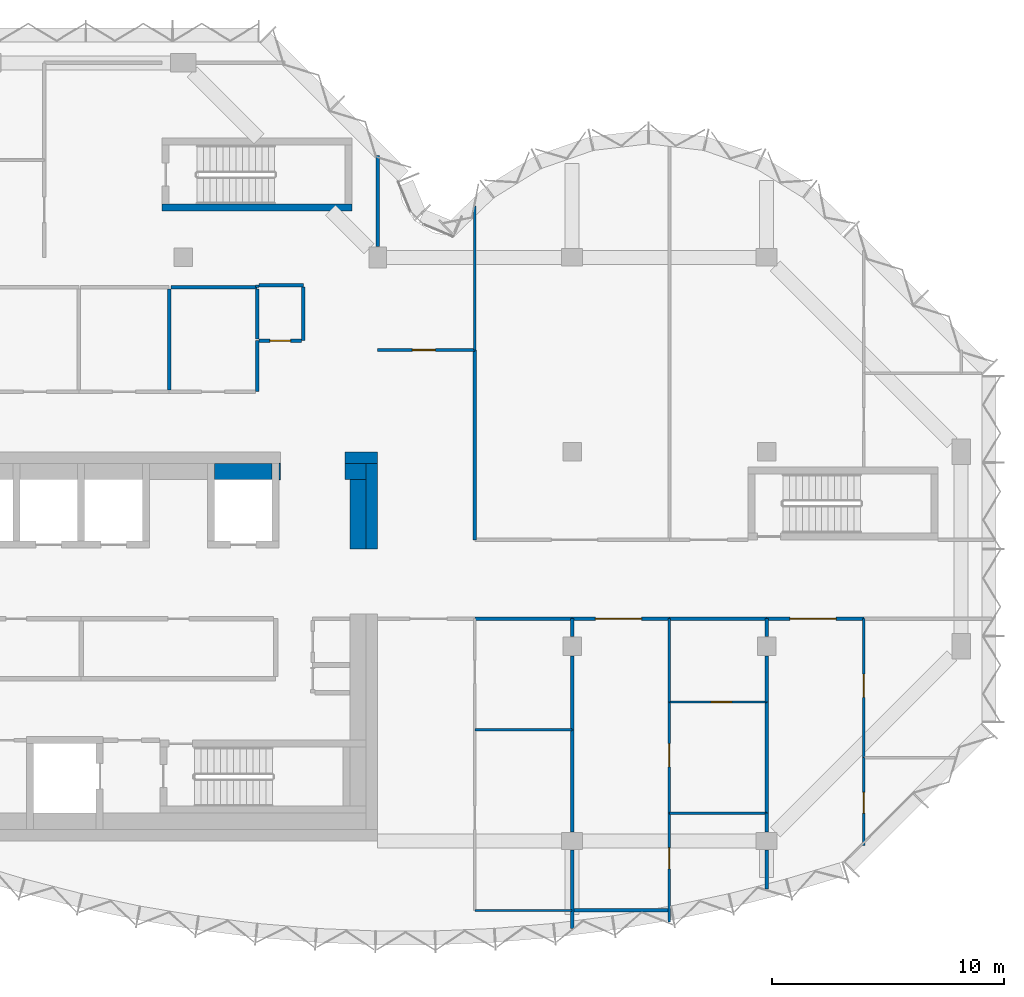
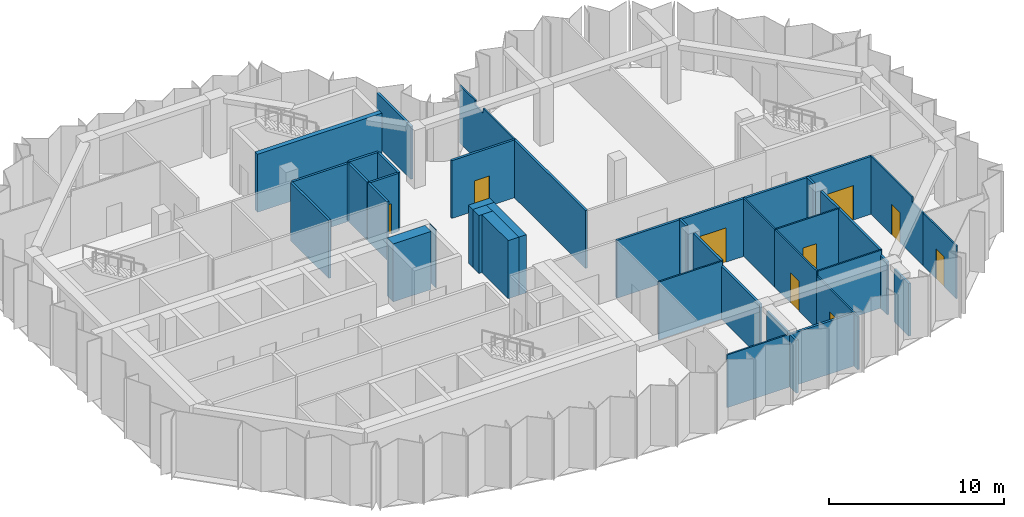
# One storey, part 6 of 10: 42 walls, 9 doors, 9 openings.
"""IFC4 building model written with IfcOpenShell, lengths in metres."""

from ifc_helpers import new_model, si_unit, direction, frame, frame_2d, origin, place, context, subcontext, project, spatial, polyline, rectangle, outline, extrude, material, layer, layer_set, type_object, element, fill, save


model = new_model("IFC4")

# Units and contexts
model_context = context("Model", 3, precision=1e-05, world=origin(), true_north=direction((0.0, 1.0)))
body_context = subcontext(model_context, "Body", "Model", "MODEL_VIEW")
ifc_project = project(units=[si_unit("LENGTHUNIT", "METRE"), si_unit("AREAUNIT", "SQUARE_METRE"), si_unit("VOLUMEUNIT", "CUBIC_METRE"), si_unit("PLANEANGLEUNIT", "RADIAN"), si_unit("MASSUNIT", "GRAM", prefix="KILO")], contexts=[model_context])

# Site, building, storey
site_placement = place(None, origin())
site = spatial("IfcSite", under=ifc_project, at=site_placement, CompositionType="ELEMENT")
building_placement = place(site_placement, origin())
building = spatial("IfcBuilding", under=site, at=building_placement, Name="Brevane Broadcast Tower", CompositionType="ELEMENT")
storey_placement = place(building_placement, frame((0.0, 0.0, 251.699951171875)))
storey = spatial("IfcBuildingStorey", under=building, at=storey_placement, Name="L64", CompositionType="ELEMENT", Elevation=251.699951171875)

# Walls
ifc_material_1 = material(Name="Concrete C32/40", Category="concrete")
ifc_layer_1 = layer(ifc_material_1, 0.699951171875)
ifc_layer_set_1 = layer_set([ifc_layer_1], Name="Core chase wall 700 mm")
wall_type_1 = type_object("IfcWallType", Name="Core chase wall 700 mm", PredefinedType="PARTITIONING", material=ifc_layer_set_1)
wall_1_placement = place(storey_placement, frame((24.35009765625, 12.60009765625, 0.0), z_axis=(0.0, 0.0, 1.0), x_axis=(0.0, 1.0, 0.0)))
element("IfcWall", 1, at=wall_1_placement, inside=storey, type_object=wall_type_1, Name="L64 chase wall LE2", PredefinedType="PARTITIONING", context=body_context, shape_type="SweptSolid", body=[
    extrude(rectangle(XDim=3.0, YDim=0.699951171875, at=frame_2d((1.5, 0.0))), origin(), (0.0, 0.0, 1.0), 4.050048828125),
])
wall_2_placement = place(storey_placement, frame((23.800048828125, 15.949951171875, 0.0), z_axis=(0.0, 0.0, 1.0), x_axis=(1.0, 0.0, 0.0)))
element("IfcWall", 2, at=wall_2_placement, inside=storey, type_object=wall_type_1, Name="L64 chase wall LN2", PredefinedType="PARTITIONING", context=body_context, shape_type="SweptSolid", body=[
    extrude(rectangle(XDim=0.89990234375, YDim=0.699951171875, at=frame_2d((0.449951171875, 0.0))), origin(), (0.0, 0.0, 1.0), 4.050048828125),
])
wall_3_placement = place(storey_placement, frame((18.14990234375, 15.949951171875, 0.0), z_axis=(0.0, 0.0, 1.0), x_axis=(1.0, 0.0, 0.0)))
element("IfcWall", 3, at=wall_3_placement, inside=storey, type_object=wall_type_1, Name="L64 chase wall LN1-2-2-2-2-2-2-1", PredefinedType="PARTITIONING", context=body_context, shape_type="SweptSolid", body=[
    extrude(rectangle(XDim=2.5, YDim=0.699951171875, at=frame_2d((1.25, 0.0))), origin(), (0.0, 0.0, 1.0), 4.050048828125),
])
wall_4_placement = place(storey_placement, frame((20.949951171875, 15.949951171875, 0.0), z_axis=(0.0, 0.0, 1.0), x_axis=(1.0, 0.0, 0.0)))
element("IfcWall", 4, at=wall_4_placement, inside=storey, type_object=wall_type_1, Name="L64 chase wall LN1-2-2-2-2-2-2-2", PredefinedType="PARTITIONING", context=body_context, shape_type="SweptSolid", body=[
    extrude(rectangle(XDim=0.050048828125, YDim=0.699951171875, at=frame_2d((0.02490234375, 0.0))), origin(), (0.0, 0.0, 1.0), 4.050048828125),
])
ifc_material_2 = material(Name="Gypsum board on steel studs", Category="steel")
ifc_layer_2 = layer(ifc_material_2, 0.14990234375)
ifc_layer_set_2 = layer_set([ifc_layer_2], Name="Core fire partition 150 mm")
wall_type_2 = type_object("IfcWallType", Name="Core fire partition 150 mm", PredefinedType="PARTITIONING", material=ifc_layer_set_2)
wall_5_placement = place(storey_placement, frame((20.0, 21.60009765625, 0.0), z_axis=(0.0, 0.0, 1.0), x_axis=(0.0, -1.0, 0.0)))
element("IfcWall", 5, at=wall_5_placement, inside=storey, type_object=wall_type_2, Name="L64 partition wall P29", PredefinedType="PARTITIONING", context=body_context, shape_type="SweptSolid", body=[
    extrude(rectangle(XDim=2.2001953125, YDim=0.14990234375, at=frame_2d((1.10009765625, 0.0))), origin(), (0.0, 0.0, 1.0), 4.050048828125),
])
wall_6_placement = place(storey_placement, frame((16.199951171875, 23.824951171875, 0.0), z_axis=(0.0, 0.0, 1.0), x_axis=(0.0, -1.0, 0.0)))
element("IfcWall", 6, at=wall_6_placement, inside=storey, type_object=wall_type_2, Name="L64 partition wall P31", PredefinedType="PARTITIONING", context=body_context, shape_type="SweptSolid", body=[
    extrude(rectangle(XDim=4.349853515625, YDim=0.14990234375, at=frame_2d((2.1748046875, 0.0))), origin(), (0.0, 0.0, 1.0), 4.050048828125),
])
wall_7_placement = place(storey_placement, frame((16.27490234375, 23.89990234375, 0.0), z_axis=(0.0, 0.0, 1.0), x_axis=(1.0, 0.0, 0.0)))
element("IfcWall", 7, at=wall_7_placement, inside=storey, type_object=wall_type_2, Name="L64 partition wall P32", PredefinedType="PARTITIONING", context=body_context, shape_type="SweptSolid", body=[
    extrude(rectangle(XDim=3.72509765625, YDim=0.14990234375, at=frame_2d((1.862548828125, 0.0))), origin(), (0.0, 0.0, 1.0), 4.050048828125),
])
wall_8_placement = place(storey_placement, frame((20.0, 23.89990234375, 0.0), z_axis=(0.0, 0.0, 1.0), x_axis=(0.0, 1.0, 0.0)))
element("IfcWall", 8, at=wall_8_placement, inside=storey, type_object=wall_type_2, Name="L64 partition wall P33", PredefinedType="PARTITIONING", context=body_context, shape_type="SweptSolid", body=[
    extrude(rectangle(XDim=0.10009765625, YDim=0.14990234375, at=frame_2d((0.050048828125, 0.0))), origin(), (0.0, 0.0, 1.0), 4.050048828125),
])
wall_9_placement = place(storey_placement, frame((20.074951171875, 24.0, 0.0), z_axis=(0.0, 0.0, 1.0), x_axis=(1.0, 0.0, 0.0)))
element("IfcWall", 9, at=wall_9_placement, inside=storey, type_object=wall_type_2, Name="L64 partition wall P34", PredefinedType="PARTITIONING", context=body_context, shape_type="SweptSolid", body=[
    extrude(rectangle(XDim=1.925048828125, YDim=0.14990234375, at=frame_2d((0.96240234375, 0.0))), origin(), (0.0, 0.0, 1.0), 4.050048828125),
])
wall_10_placement = place(storey_placement, frame((22.0, 23.925048828125, 0.0), z_axis=(0.0, 0.0, 1.0), x_axis=(0.0, -1.0, 0.0)))
element("IfcWall", 10, at=wall_10_placement, inside=storey, type_object=wall_type_2, Name="L64 partition wall P35", PredefinedType="PARTITIONING", context=body_context, shape_type="SweptSolid", body=[
    extrude(rectangle(XDim=2.324951171875, YDim=0.14990234375, at=frame_2d((1.16259765625, 0.0))), origin(), (0.0, 0.0, 1.0), 4.050048828125),
])

# Wall, opening, door
wall_11_placement = place(storey_placement, frame((21.925048828125, 21.60009765625, 0.0), z_axis=(0.0, 0.0, 1.0), x_axis=(-1.0, 0.0, 0.0)))
wall_11 = element("IfcWall", 11, at=wall_11_placement, inside=storey, type_object=wall_type_2, Name="L64 partition wall P36", PredefinedType="PARTITIONING", context=body_context, shape_type="SweptSolid", body=[
    extrude(rectangle(XDim=1.85009765625, YDim=0.14990234375, at=frame_2d((0.925048828125, 0.0))), origin(), (0.0, 0.0, 1.0), 4.050048828125),
])
opening_1_placement = place(wall_11_placement, frame((0.47509765625, 0.0, 0.0)))
opening_1 = element("IfcOpeningElement", 12, at=opening_1_placement, cuts=wall_11, Name="Opening L64-K23", PredefinedType="OPENING", context=body_context, shape_type="SweptSolid", body=[
    extrude(rectangle(XDim=0.89990234375, YDim=2.10009765625, at=frame_2d((0.449951171875, 1.050048828125))), frame((0.0, 0.0849609375, 0.0), z_axis=(0.0, -1.0, 0.0), x_axis=(1.0, 0.0, 0.0)), (0.0, 0.0, 1.0), 0.169921875),
])
ifc_material_3 = material(Name="Timber", Category="wood")
door_type_1 = type_object("IfcDoorType", Name="Toilet door 900 x 2100", OperationType="SINGLE_SWING_LEFT", PredefinedType="DOOR", material=ifc_material_3)
door_1_placement = place(opening_1_placement, origin())
door_1 = element("IfcDoor", 13, at=door_1_placement, inside=storey, type_object=door_type_1, Name="Door L64-K23", OperationType="SINGLE_SWING_LEFT", OverallHeight=2.10009765625, OverallWidth=0.89990234375, PredefinedType="DOOR", context=body_context, shape_type="SweptSolid", body=[
    extrude(rectangle(XDim=0.89990234375, YDim=2.10009765625, at=frame_2d((0.449951171875, 1.050048828125))), frame((0.0, 0.02490234375, 0.0), z_axis=(0.0, -1.0, 0.0), x_axis=(1.0, 0.0, 0.0)), (0.0, 0.0, 1.0), 0.050048828125),
])
fill(opening_1, door_1)

# Walls
wall_12_placement = place(storey_placement, frame((20.0, 21.675048828125, 0.0), z_axis=(0.0, 0.0, 1.0), x_axis=(0.0, 1.0, 0.0)))
element("IfcWall", 14, at=wall_12_placement, inside=storey, type_object=wall_type_2, Name="L64 partition wall P37", PredefinedType="PARTITIONING", context=body_context, shape_type="SweptSolid", body=[
    extrude(rectangle(XDim=2.14990234375, YDim=0.14990234375, at=frame_2d((1.074951171875, 0.0))), origin(), (0.0, 0.0, 1.0), 4.050048828125),
])
ifc_material_4 = material(Name="Concrete C50/60", Category="concrete")
ifc_layer_3 = layer(ifc_material_4, 0.300048828125)
ifc_layer_set_3 = layer_set([ifc_layer_3], Name="Core wall 300 mm C50/60")
wall_type_3 = type_object("IfcWallType", Name="Core wall 300 mm C50/60", PredefinedType="SHEAR", material=ifc_layer_set_3)
wall_13_placement = place(storey_placement, frame((15.89990234375, 27.35009765625, 0.0), z_axis=(0.0, 0.0, 1.0), x_axis=(1.0, 0.0, 0.0)))
element("IfcWall", 15, at=wall_13_placement, inside=storey, type_object=wall_type_3, Name="L64 stair wall ST-3-S", PredefinedType="SHEAR", context=body_context, shape_type="SweptSolid", body=[
    extrude(rectangle(XDim=8.2001953125, YDim=0.300048828125, at=frame_2d((4.10009765625, 0.0))), origin(), (0.0, 0.0, 1.0), 4.050048828125),
])
ifc_layer_4 = layer(ifc_material_4, 0.5)
ifc_layer_set_4 = layer_set([ifc_layer_4], Name="Core wall 500 mm C50/60")
wall_type_4 = type_object("IfcWallType", Name="Core wall 500 mm C50/60", PredefinedType="SHEAR", material=ifc_layer_set_4)
wall_14_placement = place(storey_placement, frame((23.800048828125, 16.550048828125, 0.0), z_axis=(0.0, 0.0, 1.0), x_axis=(1.0, 0.0, 0.0)))
element("IfcWall", 16, at=wall_14_placement, inside=storey, type_object=wall_type_4, Name="L64 outer wall WN2", PredefinedType="SHEAR", context=body_context, shape_type="SweptSolid", body=[
    extrude(rectangle(XDim=1.39990234375, YDim=0.5, at=frame_2d((0.699951171875, 0.0))), origin(), (0.0, 0.0, 1.0), 4.050048828125),
])
wall_15_placement = place(storey_placement, frame((24.949951171875, 12.60009765625, 0.0), z_axis=(0.0, 0.0, 1.0), x_axis=(0.0, 1.0, 0.0)))
element("IfcWall", 17, at=wall_15_placement, inside=storey, type_object=wall_type_4, Name="L64 outer wall WE2", PredefinedType="SHEAR", context=body_context, shape_type="SweptSolid", body=[
    extrude(rectangle(XDim=3.699951171875, YDim=0.5, at=frame_2d((1.85009765625, 0.0))), origin(), (0.0, 0.0, 1.0), 4.050048828125),
])
ifc_material_5 = material(Name="Gypsum board partition")
ifc_layer_5 = layer(ifc_material_5, 0.10009765625)
ifc_layer_set_5 = layer_set([ifc_layer_5], Name="PARTITION 100 STUD")
wall_type_5 = type_object("IfcWallType", Name="PARTITION 100 STUD", PredefinedType="PARTITIONING", material=ifc_layer_set_5)
wall_16_placement = place(storey_placement, frame((29.39990234375, 27.4228515625, 0.0), z_axis=(0.0, 0.0, 1.0), x_axis=(0.0, -1.0, 0.0)))
element("IfcWall", 18, at=wall_16_placement, inside=storey, type_object=wall_type_5, Name="Partition S3-004", PredefinedType="PARTITIONING", context=body_context, shape_type="SweptSolid", body=[
    extrude(outline(polyline([(0.0, 0.0), (6.222900390625, 0.0), (6.222900390625, 4.030029296875), (2.6728515625, 4.030029296875), (2.6708984375, 3.679931640625), (1.77490234375, 3.679931640625), (1.77294921875, 4.030029296875), (0.14794921875, 4.030029296875), (0.0, 4.030029296875), (0.0, 0.0)])), frame((0.0, 0.050048828125, 0.0), z_axis=(0.0, -1.0, 0.0), x_axis=(1.0, 0.0, 0.0)), (0.0, 0.0, 1.0), 0.10009765625),
])
wall_17_placement = place(storey_placement, frame((29.39990234375, -3.0, 0.0), z_axis=(0.0, 0.0, 1.0), x_axis=(1.0, 0.0, 0.0)))
element("IfcWall", 19, at=wall_17_placement, inside=storey, type_object=wall_type_5, Name="Partition S3-015", PredefinedType="PARTITIONING", context=body_context, shape_type="SweptSolid", body=[
    extrude(rectangle(XDim=4.2001953125, YDim=0.10009765625, at=frame_2d((2.10009765625, 0.0))), origin(), (0.0, 0.0, 1.0), 3.679931640625),
])
wall_18_placement = place(storey_placement, frame((29.39990234375, 4.800048828125, 0.0), z_axis=(0.0, 0.0, 1.0), x_axis=(1.0, 0.0, 0.0)))
element("IfcWall", 20, at=wall_18_placement, inside=storey, type_object=wall_type_5, Name="Partition S3-018", PredefinedType="PARTITIONING", context=body_context, shape_type="SweptSolid", body=[
    extrude(rectangle(XDim=4.2001953125, YDim=0.10009765625, at=frame_2d((2.10009765625, 0.0))), origin(), (0.0, 0.0, 1.0), 4.030029296875),
])

# Wall, opening, door
wall_19_placement = place(storey_placement, frame((37.800048828125, 1.199951171875, 0.0), z_axis=(0.0, 0.0, 1.0), x_axis=(0.0, -1.0, 0.0)))
wall_19 = element("IfcWall", 21, at=wall_19_placement, inside=storey, type_object=wall_type_5, Name="Partition S3-023", PredefinedType="PARTITIONING", context=body_context, shape_type="SweptSolid", body=[
    extrude(rectangle(XDim=4.702880859375, YDim=0.10009765625, at=frame_2d((2.3515625, 0.0))), origin(), (0.0, 0.0, 1.0), 3.679931640625),
])
opening_2_placement = place(wall_19_placement, frame((1.5, 0.0, 0.0)))
opening_2 = element("IfcOpeningElement", 22, at=opening_2_placement, cuts=wall_19, Name="Opening D31-006", PredefinedType="OPENING", context=body_context, shape_type="SweptSolid", body=[
    extrude(rectangle(XDim=0.89990234375, YDim=2.10009765625, at=frame_2d((0.449951171875, 1.050048828125))), frame((0.0, 0.06005859375, 0.0), z_axis=(0.0, -1.0, 0.0), x_axis=(1.0, 0.0, 0.0)), (0.0, 0.0, 1.0), 0.1201171875),
])
ifc_material_6 = material(Name="Timber door leaf", Category="wood")
door_type_2 = type_object("IfcDoorType", Name="DOOR SINGLE 900 INTERNAL", OperationType="SINGLE_SWING_LEFT", PredefinedType="DOOR", material=ifc_material_6)
door_2_placement = place(opening_2_placement, origin())
door_2 = element("IfcDoor", 23, at=door_2_placement, inside=storey, type_object=door_type_2, Name="Door D31-006", OperationType="SINGLE_SWING_LEFT", OverallHeight=2.10009765625, OverallWidth=0.89990234375, PredefinedType="DOOR", context=body_context, shape_type="SweptSolid", body=[
    extrude(rectangle(XDim=0.89990234375, YDim=2.10009765625, at=frame_2d((0.449951171875, 1.050048828125))), frame((0.0, 0.02490234375, 0.0), z_axis=(0.0, -1.0, 0.0), x_axis=(1.0, 0.0, 0.0)), (0.0, 0.0, 1.0), 0.050048828125),
])
fill(opening_2, door_2)

wall_20_placement = place(storey_placement, frame((37.800048828125, 6.0, 0.0), z_axis=(0.0, 0.0, 1.0), x_axis=(0.0, -1.0, 0.0)))
wall_20 = element("IfcWall", 24, at=wall_20_placement, inside=storey, type_object=wall_type_5, Name="Partition S3-024", PredefinedType="PARTITIONING", context=body_context, shape_type="SweptSolid", body=[
    extrude(rectangle(XDim=4.800048828125, YDim=0.10009765625, at=frame_2d((2.39990234375, 0.0))), origin(), (0.0, 0.0, 1.0), 4.030029296875),
])
opening_3_placement = place(wall_20_placement, frame((1.800048828125, 0.0, 0.0)))
opening_3 = element("IfcOpeningElement", 25, at=opening_3_placement, cuts=wall_20, Name="Opening D31-007", PredefinedType="OPENING", context=body_context, shape_type="SweptSolid", body=[
    extrude(rectangle(XDim=1.0, YDim=2.10009765625, at=frame_2d((0.5, 1.050048828125))), frame((0.0, 0.06005859375, 0.0), z_axis=(0.0, -1.0, 0.0), x_axis=(1.0, 0.0, 0.0)), (0.0, 0.0, 1.0), 0.1201171875),
])
door_type_3 = type_object("IfcDoorType", Name="DOOR SINGLE 1000 INTERNAL", OperationType="SINGLE_SWING_LEFT", PredefinedType="DOOR", material=ifc_material_6)
door_3_placement = place(opening_3_placement, origin())
door_3 = element("IfcDoor", 26, at=door_3_placement, inside=storey, type_object=door_type_3, Name="Door D31-007", OperationType="SINGLE_SWING_LEFT", OverallHeight=2.10009765625, OverallWidth=1.0, PredefinedType="DOOR", context=body_context, shape_type="SweptSolid", body=[
    extrude(rectangle(XDim=1.0, YDim=2.10009765625, at=frame_2d((0.5, 1.050048828125))), frame((0.0, 0.02490234375, 0.0), z_axis=(0.0, -1.0, 0.0), x_axis=(1.0, 0.0, 0.0)), (0.0, 0.0, 1.0), 0.050048828125),
])
fill(opening_3, door_3)

# Walls
wall_21_placement = place(storey_placement, frame((37.800048828125, 9.60009765625, 0.0), z_axis=(0.0, 0.0, 1.0), x_axis=(0.0, -1.0, 0.0)))
element("IfcWall", 27, at=wall_21_placement, inside=storey, type_object=wall_type_5, Name="Partition S3-025", PredefinedType="PARTITIONING", context=body_context, shape_type="SweptSolid", body=[
    extrude(rectangle(XDim=3.60009765625, YDim=0.10009765625, at=frame_2d((1.800048828125, 0.0))), origin(), (0.0, 0.0, 1.0), 4.030029296875),
])
wall_22_placement = place(storey_placement, frame((37.800048828125, 1.199951171875, 0.0), z_axis=(0.0, 0.0, 1.0), x_axis=(1.0, 0.0, 0.0)))
element("IfcWall", 28, at=wall_22_placement, inside=storey, type_object=wall_type_5, Name="Partition S3-026", PredefinedType="PARTITIONING", context=body_context, shape_type="SweptSolid", body=[
    extrude(rectangle(XDim=4.199951171875, YDim=0.10009765625, at=frame_2d((2.10009765625, 0.0))), origin(), (0.0, 0.0, 1.0), 4.030029296875),
])

# Wall, opening, door
wall_23_placement = place(storey_placement, frame((37.800048828125, 6.0, 0.0), z_axis=(0.0, 0.0, 1.0), x_axis=(1.0, 0.0, 0.0)))
wall_23 = element("IfcWall", 29, at=wall_23_placement, inside=storey, type_object=wall_type_5, Name="Partition S3-029", PredefinedType="PARTITIONING", context=body_context, shape_type="SweptSolid", body=[
    extrude(rectangle(XDim=4.199951171875, YDim=0.10009765625, at=frame_2d((2.10009765625, 0.0))), origin(), (0.0, 0.0, 1.0), 4.030029296875),
])
opening_4_placement = place(wall_23_placement, frame((1.800048828125, 0.0, 0.0)))
opening_4 = element("IfcOpeningElement", 30, at=opening_4_placement, cuts=wall_23, Name="Opening D31-008", PredefinedType="OPENING", context=body_context, shape_type="SweptSolid", body=[
    extrude(rectangle(XDim=0.89990234375, YDim=2.10009765625, at=frame_2d((0.449951171875, 1.050048828125))), frame((0.0, 0.06005859375, 0.0), z_axis=(0.0, -1.0, 0.0), x_axis=(1.0, 0.0, 0.0)), (0.0, 0.0, 1.0), 0.1201171875),
])
door_4_placement = place(opening_4_placement, origin())
door_4 = element("IfcDoor", 31, at=door_4_placement, inside=storey, type_object=door_type_2, Name="Door D31-008", OperationType="SINGLE_SWING_LEFT", OverallHeight=2.10009765625, OverallWidth=0.89990234375, PredefinedType="DOOR", context=body_context, shape_type="SweptSolid", body=[
    extrude(rectangle(XDim=0.89990234375, YDim=2.10009765625, at=frame_2d((0.449951171875, 1.050048828125))), frame((0.0, 0.02490234375, 0.0), z_axis=(0.0, -1.0, 0.0), x_axis=(1.0, 0.0, 0.0)), (0.0, 0.0, 1.0), 0.050048828125),
])
fill(opening_4, door_4)

wall_24_placement = place(storey_placement, frame((46.199951171875, 3.60009765625, 0.0), z_axis=(0.0, 0.0, 1.0), x_axis=(0.0, -1.0, 0.0)))
wall_24 = element("IfcWall", 32, at=wall_24_placement, inside=storey, type_object=wall_type_5, Name="Partition S3-033", PredefinedType="PARTITIONING", context=body_context, shape_type="SweptSolid", body=[
    extrude(rectangle(XDim=3.800048828125, YDim=0.10009765625, at=frame_2d((1.89990234375, 0.0))), origin(), (0.0, 0.0, 1.0), 3.679931640625),
])
opening_5_placement = place(wall_24_placement, frame((1.5, 0.0, 0.0)))
opening_5 = element("IfcOpeningElement", 33, at=opening_5_placement, cuts=wall_24, Name="Opening D31-010", PredefinedType="OPENING", context=body_context, shape_type="SweptSolid", body=[
    extrude(rectangle(XDim=0.89990234375, YDim=2.10009765625, at=frame_2d((0.449951171875, 1.050048828125))), frame((0.0, 0.06005859375, 0.0), z_axis=(0.0, -1.0, 0.0), x_axis=(1.0, 0.0, 0.0)), (0.0, 0.0, 1.0), 0.1201171875),
])
door_5_placement = place(opening_5_placement, origin())
door_5 = element("IfcDoor", 34, at=door_5_placement, inside=storey, type_object=door_type_2, Name="Door D31-010", OperationType="SINGLE_SWING_LEFT", OverallHeight=2.10009765625, OverallWidth=0.89990234375, PredefinedType="DOOR", context=body_context, shape_type="SweptSolid", body=[
    extrude(rectangle(XDim=0.89990234375, YDim=2.10009765625, at=frame_2d((0.449951171875, 1.050048828125))), frame((0.0, 0.02490234375, 0.0), z_axis=(0.0, -1.0, 0.0), x_axis=(1.0, 0.0, 0.0)), (0.0, 0.0, 1.0), 0.050048828125),
])
fill(opening_5, door_5)

wall_25_placement = place(storey_placement, frame((46.199951171875, 9.60009765625, 0.0), z_axis=(0.0, 0.0, 1.0), x_axis=(0.0, -1.0, 0.0)))
wall_25 = element("IfcWall", 35, at=wall_25_placement, inside=storey, type_object=wall_type_5, Name="Partition S3-034", PredefinedType="PARTITIONING", context=body_context, shape_type="SweptSolid", body=[
    extrude(outline(polyline([(0.0, 0.0), (6.0, 0.0), (6.0, 3.679931640625), (4.736328125, 3.679931640625), (4.734375, 4.030029296875), (0.0, 4.030029296875), (0.0, 0.0)])), frame((0.0, 0.050048828125, 0.0), z_axis=(0.0, -1.0, 0.0), x_axis=(1.0, 0.0, 0.0)), (0.0, 0.0, 1.0), 0.10009765625),
])
opening_6_placement = place(wall_25_placement, frame((2.39990234375, 0.0, 0.0)))
opening_6 = element("IfcOpeningElement", 36, at=opening_6_placement, cuts=wall_25, Name="Opening D31-011", PredefinedType="OPENING", context=body_context, shape_type="SweptSolid", body=[
    extrude(rectangle(XDim=1.0, YDim=2.10009765625, at=frame_2d((0.5, 1.050048828125))), frame((0.0, 0.06005859375, 0.0), z_axis=(0.0, -1.0, 0.0), x_axis=(1.0, 0.0, 0.0)), (0.0, 0.0, 1.0), 0.1201171875),
])
door_6_placement = place(opening_6_placement, origin())
door_6 = element("IfcDoor", 37, at=door_6_placement, inside=storey, type_object=door_type_3, Name="Door D31-011", OperationType="SINGLE_SWING_LEFT", OverallHeight=2.10009765625, OverallWidth=1.0, PredefinedType="DOOR", context=body_context, shape_type="SweptSolid", body=[
    extrude(rectangle(XDim=1.0, YDim=2.10009765625, at=frame_2d((0.5, 1.050048828125))), frame((0.0, 0.02490234375, 0.0), z_axis=(0.0, -1.0, 0.0), x_axis=(1.0, 0.0, 0.0)), (0.0, 0.0, 1.0), 0.050048828125),
])
fill(opening_6, door_6)

ifc_layer_6 = layer(ifc_material_5, 0.14990234375)
ifc_layer_set_6 = layer_set([ifc_layer_6], Name="PARTITION 150 EI 60")
wall_type_6 = type_object("IfcWallType", Name="PARTITION 150 EI 60", PredefinedType="PARTITIONING", material=ifc_layer_set_6)
wall_26_placement = place(storey_placement, frame((25.199951171875, 21.199951171875, 0.0), z_axis=(0.0, 0.0, 1.0), x_axis=(1.0, 0.0, 0.0)))
wall_26 = element("IfcWall", 38, at=wall_26_placement, inside=storey, type_object=wall_type_6, Name="Partition S3-001", PredefinedType="PARTITIONING", context=body_context, shape_type="SweptSolid", body=[
    extrude(rectangle(XDim=4.199951171875, YDim=0.14990234375, at=frame_2d((2.10009765625, 0.0))), origin(), (0.0, 0.0, 1.0), 4.030029296875),
])
opening_7_placement = place(wall_26_placement, frame((1.5, 0.0, 0.0)))
opening_7 = element("IfcOpeningElement", 39, at=opening_7_placement, cuts=wall_26, Name="Opening D31-001", PredefinedType="OPENING", context=body_context, shape_type="SweptSolid", body=[
    extrude(rectangle(XDim=1.0, YDim=2.10009765625, at=frame_2d((0.5, 1.050048828125))), frame((0.0, 0.0849609375, 0.0), z_axis=(0.0, -1.0, 0.0), x_axis=(1.0, 0.0, 0.0)), (0.0, 0.0, 1.0), 0.169921875),
])
ifc_material_7 = material(Name="Fire-rated timber door leaf", Category="wood")
door_type_4 = type_object("IfcDoorType", Name="DOOR SINGLE 1000 FD30S", OperationType="SINGLE_SWING_LEFT", PredefinedType="DOOR", material=ifc_material_7)
door_7_placement = place(opening_7_placement, origin())
door_7 = element("IfcDoor", 40, at=door_7_placement, inside=storey, type_object=door_type_4, Name="Door D31-001", OperationType="SINGLE_SWING_LEFT", OverallHeight=2.10009765625, OverallWidth=1.0, PredefinedType="DOOR", context=body_context, shape_type="SweptSolid", body=[
    extrude(rectangle(XDim=1.0, YDim=2.10009765625, at=frame_2d((0.5, 1.050048828125))), frame((0.0, 0.02490234375, 0.0), z_axis=(0.0, -1.0, 0.0), x_axis=(1.0, 0.0, 0.0)), (0.0, 0.0, 1.0), 0.050048828125),
])
fill(opening_7, door_7)

# Walls
wall_27_placement = place(storey_placement, frame((29.39990234375, 21.199951171875, 0.0), z_axis=(0.0, 0.0, 1.0), x_axis=(0.0, -1.0, 0.0)))
element("IfcWall", 41, at=wall_27_placement, inside=storey, type_object=wall_type_6, Name="Partition S3-003", PredefinedType="PARTITIONING", context=body_context, shape_type="SweptSolid", body=[
    extrude(rectangle(XDim=8.199951171875, YDim=0.14990234375, at=frame_2d((4.10009765625, 0.0))), origin(), (0.0, 0.0, 1.0), 4.030029296875),
])
wall_28_placement = place(storey_placement, frame((25.199951171875, 25.669921875, 0.0), z_axis=(0.0, 0.0, 1.0), x_axis=(0.0, 1.0, 0.0)))
element("IfcWall", 42, at=wall_28_placement, inside=storey, type_object=wall_type_6, Name="Partition S3-005", PredefinedType="PARTITIONING", context=body_context, shape_type="SweptSolid", body=[
    extrude(rectangle(XDim=3.93017578125, YDim=0.14990234375, at=frame_2d((1.965087890625, 0.0))), origin(), (0.0, 0.0, 1.0), 3.679931640625),
])
wall_29_placement = place(storey_placement, frame((33.60009765625, 9.60009765625, 0.0), z_axis=(0.0, 0.0, 1.0), x_axis=(-1.0, 0.0, 0.0)))
element("IfcWall", 43, at=wall_29_placement, inside=storey, type_object=wall_type_6, Name="Partition S3-006", PredefinedType="PARTITIONING", context=body_context, shape_type="SweptSolid", body=[
    extrude(rectangle(XDim=4.2001953125, YDim=0.14990234375, at=frame_2d((2.10009765625, 0.0))), origin(), (0.0, 0.0, 1.0), 4.030029296875),
])

# Wall, opening, door
wall_30_placement = place(storey_placement, frame((37.800048828125, 9.60009765625, 0.0), z_axis=(0.0, 0.0, 1.0), x_axis=(-1.0, 0.0, 0.0)))
wall_30 = element("IfcWall", 44, at=wall_30_placement, inside=storey, type_object=wall_type_6, Name="Partition S3-007", PredefinedType="PARTITIONING", context=body_context, shape_type="SweptSolid", body=[
    extrude(rectangle(XDim=4.199951171875, YDim=0.14990234375, at=frame_2d((2.10009765625, 0.0))), origin(), (0.0, 0.0, 1.0), 4.030029296875),
])
opening_8_placement = place(wall_30_placement, frame((1.199951171875, 0.0, 0.0)))
opening_8 = element("IfcOpeningElement", 45, at=opening_8_placement, cuts=wall_30, Name="Opening D31-005", PredefinedType="OPENING", context=body_context, shape_type="SweptSolid", body=[
    extrude(rectangle(XDim=2.0, YDim=2.39990234375, at=frame_2d((1.0, 1.199951171875))), frame((0.0, 0.0849609375, 0.0), z_axis=(0.0, -1.0, 0.0), x_axis=(1.0, 0.0, 0.0)), (0.0, 0.0, 1.0), 0.169921875),
])
door_type_5 = type_object("IfcDoorType", Name="DOOR DOUBLE 2000 FD30S", OperationType="DOUBLE_DOOR_SINGLE_SWING", PredefinedType="DOOR", material=ifc_material_7)
door_8_placement = place(opening_8_placement, origin())
door_8 = element("IfcDoor", 46, at=door_8_placement, inside=storey, type_object=door_type_5, Name="Door D31-005", OperationType="DOUBLE_DOOR_SINGLE_SWING", OverallHeight=2.39990234375, OverallWidth=2.0, PredefinedType="DOOR", context=body_context, shape_type="SweptSolid", body=[
    extrude(rectangle(XDim=2.0, YDim=2.39990234375, at=frame_2d((1.0, 1.199951171875))), frame((0.0, 0.02490234375, 0.0), z_axis=(0.0, -1.0, 0.0), x_axis=(1.0, 0.0, 0.0)), (0.0, 0.0, 1.0), 0.050048828125),
])
fill(opening_8, door_8)

# Wall
wall_31_placement = place(storey_placement, frame((42.0, 9.60009765625, 0.0), z_axis=(0.0, 0.0, 1.0), x_axis=(-1.0, 0.0, 0.0)))
element("IfcWall", 47, at=wall_31_placement, inside=storey, type_object=wall_type_6, Name="Partition S3-008", PredefinedType="PARTITIONING", context=body_context, shape_type="SweptSolid", body=[
    extrude(rectangle(XDim=4.199951171875, YDim=0.14990234375, at=frame_2d((2.10009765625, 0.0))), origin(), (0.0, 0.0, 1.0), 4.030029296875),
])

# Wall, opening, door
wall_32_placement = place(storey_placement, frame((46.199951171875, 9.60009765625, 0.0), z_axis=(0.0, 0.0, 1.0), x_axis=(-1.0, 0.0, 0.0)))
wall_32 = element("IfcWall", 48, at=wall_32_placement, inside=storey, type_object=wall_type_6, Name="Partition S3-009", PredefinedType="PARTITIONING", context=body_context, shape_type="SweptSolid", body=[
    extrude(rectangle(XDim=4.199951171875, YDim=0.14990234375, at=frame_2d((2.10009765625, 0.0))), origin(), (0.0, 0.0, 1.0), 4.030029296875),
])
opening_9_placement = place(wall_32_placement, frame((1.199951171875, 0.0, 0.0)))
opening_9 = element("IfcOpeningElement", 49, at=opening_9_placement, cuts=wall_32, Name="Opening D31-009", PredefinedType="OPENING", context=body_context, shape_type="SweptSolid", body=[
    extrude(rectangle(XDim=2.0, YDim=2.39990234375, at=frame_2d((1.0, 1.199951171875))), frame((0.0, 0.0849609375, 0.0), z_axis=(0.0, -1.0, 0.0), x_axis=(1.0, 0.0, 0.0)), (0.0, 0.0, 1.0), 0.169921875),
])
door_9_placement = place(opening_9_placement, origin())
door_9 = element("IfcDoor", 50, at=door_9_placement, inside=storey, type_object=door_type_5, Name="Door D31-009", OperationType="DOUBLE_DOOR_SINGLE_SWING", OverallHeight=2.39990234375, OverallWidth=2.0, PredefinedType="DOOR", context=body_context, shape_type="SweptSolid", body=[
    extrude(rectangle(XDim=2.0, YDim=2.39990234375, at=frame_2d((1.0, 1.199951171875))), frame((0.0, 0.02490234375, 0.0), z_axis=(0.0, -1.0, 0.0), x_axis=(1.0, 0.0, 0.0)), (0.0, 0.0, 1.0), 0.050048828125),
])
fill(opening_9, door_9)

# Walls
wall_33_placement = place(storey_placement, frame((33.60009765625, -3.0, 0.0), z_axis=(0.0, 0.0, 1.0), x_axis=(1.0, 0.0, 0.0)))
element("IfcWall", 51, at=wall_33_placement, inside=storey, type_object=wall_type_6, Name="Partition S3-017", PredefinedType="PARTITIONING", context=body_context, shape_type="SweptSolid", body=[
    extrude(rectangle(XDim=4.23583984375, YDim=0.14990234375, at=frame_2d((2.117919921875, 0.0))), origin(), (0.0, 0.0, 1.0), 3.679931640625),
])
wall_34_placement = place(storey_placement, frame((33.60009765625, 4.800048828125, 0.0), z_axis=(0.0, 0.0, 1.0), x_axis=(0.0, -1.0, 0.0)))
element("IfcWall", 52, at=wall_34_placement, inside=storey, type_object=wall_type_6, Name="Partition S3-019", PredefinedType="PARTITIONING", context=body_context, shape_type="SweptSolid", body=[
    extrude(rectangle(XDim=4.405029296875, YDim=0.14990234375, at=frame_2d((2.20263671875, 0.0))), origin(), (0.0, 0.0, 1.0), 3.679931640625),
])
wall_35_placement = place(storey_placement, frame((33.60009765625, -0.39501953125, 0.0), z_axis=(0.0, 0.0, 1.0), x_axis=(0.0, -1.0, 0.0)))
element("IfcWall", 53, at=wall_35_placement, inside=storey, type_object=wall_type_6, Name="Partition S3-020", PredefinedType="PARTITIONING", context=body_context, shape_type="SweptSolid", body=[
    extrude(rectangle(XDim=3.375732421875, YDim=0.14990234375, at=frame_2d((1.68798828125, 0.0))), origin(), (0.0, 0.0, 1.0), 3.679931640625),
])
wall_36_placement = place(storey_placement, frame((33.60009765625, 9.60009765625, 0.0), z_axis=(0.0, 0.0, 1.0), x_axis=(0.0, -1.0, 0.0)))
element("IfcWall", 54, at=wall_36_placement, inside=storey, type_object=wall_type_6, Name="Partition S3-021", PredefinedType="PARTITIONING", context=body_context, shape_type="SweptSolid", body=[
    extrude(rectangle(XDim=0.780029296875, YDim=0.14990234375, at=frame_2d((0.39013671875, 0.0))), origin(), (0.0, 0.0, 1.0), 4.030029296875),
])
wall_37_placement = place(storey_placement, frame((33.60009765625, 7.97998046875, 0.0), z_axis=(0.0, 0.0, 1.0), x_axis=(0.0, -1.0, 0.0)))
element("IfcWall", 55, at=wall_37_placement, inside=storey, type_object=wall_type_6, Name="Partition S3-022", PredefinedType="PARTITIONING", context=body_context, shape_type="SweptSolid", body=[
    extrude(rectangle(XDim=3.179931640625, YDim=0.14990234375, at=frame_2d((1.58984375, 0.0))), origin(), (0.0, 0.0, 1.0), 4.030029296875),
])
wall_38_placement = place(storey_placement, frame((42.0, 1.199951171875, 0.0), z_axis=(0.0, 0.0, 1.0), x_axis=(0.0, -1.0, 0.0)))
element("IfcWall", 56, at=wall_38_placement, inside=storey, type_object=wall_type_6, Name="Partition S3-027", PredefinedType="PARTITIONING", context=body_context, shape_type="SweptSolid", body=[
    extrude(rectangle(XDim=0.804931640625, YDim=0.14990234375, at=frame_2d((0.40234375, 0.0))), origin(), (0.0, 0.0, 1.0), 3.679931640625),
])
wall_39_placement = place(storey_placement, frame((42.0, -0.39501953125, 0.0), z_axis=(0.0, 0.0, 1.0), x_axis=(0.0, -1.0, 0.0)))
element("IfcWall", 57, at=wall_39_placement, inside=storey, type_object=wall_type_6, Name="Partition S3-028", PredefinedType="PARTITIONING", context=body_context, shape_type="SweptSolid", body=[
    extrude(rectangle(XDim=1.673828125, YDim=0.14990234375, at=frame_2d((0.8369140625, 0.0))), origin(), (0.0, 0.0, 1.0), 3.679931640625),
])
wall_40_placement = place(storey_placement, frame((42.0, 6.0, 0.0), z_axis=(0.0, 0.0, 1.0), x_axis=(0.0, -1.0, 0.0)))
element("IfcWall", 58, at=wall_40_placement, inside=storey, type_object=wall_type_6, Name="Partition S3-030", PredefinedType="PARTITIONING", context=body_context, shape_type="SweptSolid", body=[
    extrude(rectangle(XDim=4.800048828125, YDim=0.14990234375, at=frame_2d((2.39990234375, 0.0))), origin(), (0.0, 0.0, 1.0), 4.030029296875),
])
wall_41_placement = place(storey_placement, frame((42.0, 9.60009765625, 0.0), z_axis=(0.0, 0.0, 1.0), x_axis=(0.0, -1.0, 0.0)))
element("IfcWall", 59, at=wall_41_placement, inside=storey, type_object=wall_type_6, Name="Partition S3-031", PredefinedType="PARTITIONING", context=body_context, shape_type="SweptSolid", body=[
    extrude(rectangle(XDim=0.780029296875, YDim=0.14990234375, at=frame_2d((0.39013671875, 0.0))), origin(), (0.0, 0.0, 1.0), 4.030029296875),
])
wall_42_placement = place(storey_placement, frame((42.0, 7.97998046875, 0.0), z_axis=(0.0, 0.0, 1.0), x_axis=(0.0, -1.0, 0.0)))
element("IfcWall", 60, at=wall_42_placement, inside=storey, type_object=wall_type_6, Name="Partition S3-032", PredefinedType="PARTITIONING", context=body_context, shape_type="SweptSolid", body=[
    extrude(rectangle(XDim=1.97998046875, YDim=0.14990234375, at=frame_2d((0.989990234375, 0.0))), origin(), (0.0, 0.0, 1.0), 4.030029296875),
])

save(model, "model.ifc")
